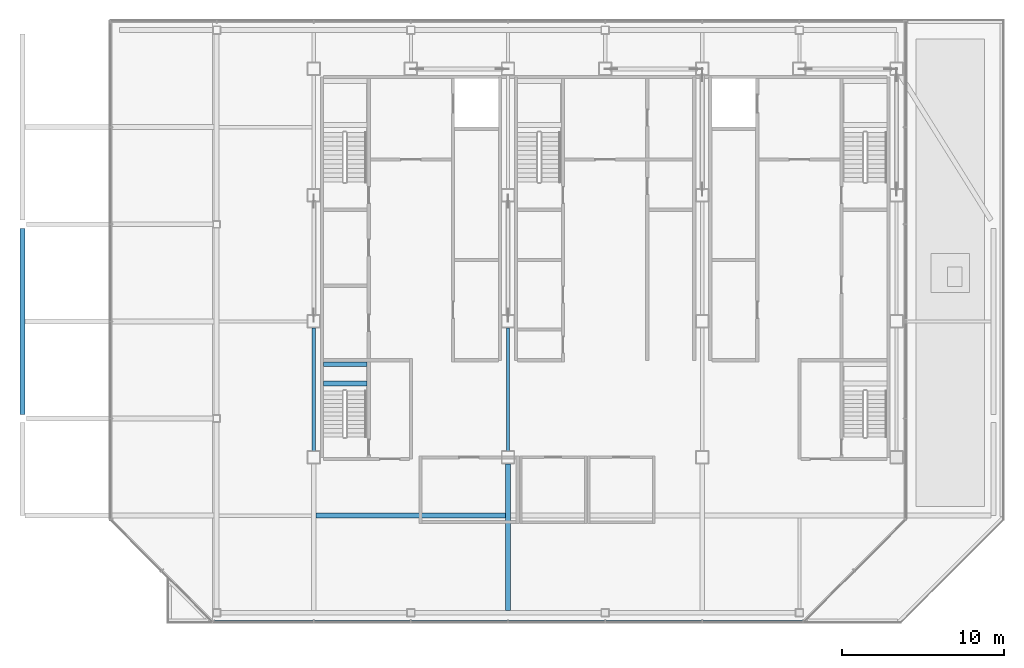
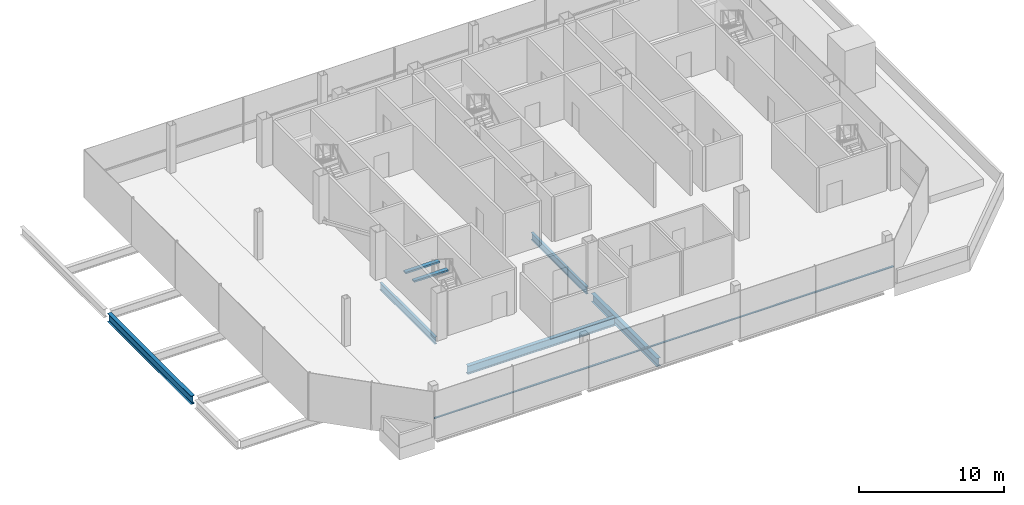
# One storey, part 4 of 17: 7 beams, 1 member, 1 element without a shape of its own.
"""IFC4 building model written with IfcOpenShell, lengths in metres."""

from ifc_helpers import new_model, si_unit, direction, frame, origin, origin_2d, place, context, subcontext, project, spatial, rectangle, i_section, extrude, material, material_profile, profile_set, type_object, element, aggregate, save


model = new_model("IFC4")

# Units and contexts
model_context = context("Model", 3, precision=1e-05, world=origin(), true_north=direction((0.0, 1.0)))
body_context = subcontext(model_context, "Body", "Model", "MODEL_VIEW")
ifc_project = project(units=[si_unit("LENGTHUNIT", "METRE"), si_unit("AREAUNIT", "SQUARE_METRE"), si_unit("VOLUMEUNIT", "CUBIC_METRE"), si_unit("PLANEANGLEUNIT", "RADIAN"), si_unit("MASSUNIT", "GRAM", prefix="KILO")], contexts=[model_context])

# Site, building, storey
site_placement = place(None, origin())
site = spatial("IfcSite", under=ifc_project, at=site_placement, CompositionType="ELEMENT")
building_placement = place(site_placement, origin())
building = spatial("IfcBuilding", under=site, at=building_placement, Name="Sorahane Residences", CompositionType="ELEMENT")
storey_placement = place(building_placement, frame((0.0, 0.0, 341.800048828125)))
storey = spatial("IfcBuildingStorey", under=building, at=storey_placement, Name="L81", CompositionType="ELEMENT", Elevation=341.800048828125)

# Curtain wall, member
ifc_material_1 = material(Name="Dark low-e glass and black anodised aluminium", Category="aluminium")
curtain_wall_type = type_object("IfcCurtainWallType", Name="Curtain wall CW-6 Crown unitised wall", PredefinedType="NOTDEFINED", material=ifc_material_1)
curtain_wall_placement = place(storey_placement, origin())
curtain_wall = element("IfcCurtainWall", 1, at=curtain_wall_placement, inside=storey, type_object=curtain_wall_type, Name="CW-6 curtain wall L81 S1", PredefinedType="NOTDEFINED")
ifc_material_2 = material(Name="Black anodised aluminium", Category="aluminium")
ifc_material_profile_1 = material_profile(ifc_material_2, rectangle(XDim=0.10009765625, YDim=0.06005859375, at=origin_2d()), Name="Curtain wall transom CW-6 black anodised aluminium 60x100")
ifc_profile_set_1 = profile_set([ifc_material_profile_1], Name="Black anodised aluminium")
member_type = type_object("IfcMemberType", Name="Curtain wall transom CW-6 black anodised aluminium 60x100", PredefinedType="USERDEFINED", material=ifc_profile_set_1)
member_placement = place(storey_placement, frame((-0.198486328125, 11.469970703125, 1.5), z_axis=(1.0, 0.0, 0.0), x_axis=(0.0, 1.0, 0.0)))
member = element("IfcMember", 2, at=member_placement, type_object=member_type, Name="CW-6 transom L81 S1", ObjectType="TRANSOM", PredefinedType="USERDEFINED", context=body_context, shape_type="SweptSolid", body=[
    extrude(rectangle(XDim=0.10009765625, YDim=0.06005859375, at=origin_2d()), origin(), (0.0, 0.0, 1.0), 36.39697265625),
])
aggregate(curtain_wall, [member])

# Beams
ifc_material_3 = material(Name="Concrete C40", Category="concrete")
ifc_material_profile_2 = material_profile(ifc_material_3, rectangle(XDim=0.300048828125, YDim=0.139892578125, at=origin_2d()), Name="300x140")
ifc_profile_set_2 = profile_set([ifc_material_profile_2], Name="Concrete C40")
beam_type_1 = type_object("IfcBeamType", Name="RC landing beam 300 x 140 Concrete C40", PredefinedType="BEAM", material=ifc_profile_set_2)
for number, where, z_axis, x_axis, name in (
    (3, (6.60009765625, 26.159912109375, 1.72998046875), (1.0, 0.0, 0.0), (0.0, 1.0, 0.0), "Landing beam"),
    (4, (6.60009765625, 27.35009765625, 1.72998046875), (1.0, 0.0, 0.0), (0.0, 1.0, 0.0), "Landing beam"),
):
    element("IfcBeam", number, at=place(storey_placement, frame(where, z_axis=z_axis, x_axis=x_axis)), inside=storey, type_object=beam_type_1, Name=name, PredefinedType="BEAM", context=body_context, shape_type="SweptSolid", body=[
        extrude(rectangle(XDim=0.300048828125, YDim=0.139892578125, at=origin_2d()), origin(), (0.0, 0.0, 1.0), 2.699951171875),
    ])
ifc_material_4 = material(Name="Steel Q355B", Category="steel")
ifc_material_profile_3 = material_profile(ifc_material_4, i_section(OverallWidth=0.199951171875, OverallDepth=0.60009765625, WebThickness=0.010986328125, FlangeThickness=0.01708984375, FilletRadius=0.02392578125, at=origin_2d()), Name="HN 600x200x11x17")
ifc_profile_set_3 = profile_set([ifc_material_profile_3], Name="Steel Q355B")
beam_type_2 = type_object("IfcBeamType", Name="Steel floor beam HN 600x200x11x17 Q355B", PredefinedType="BEAM", material=ifc_profile_set_3)
for number, where, z_axis, x_axis, name in (
    (5, (6.0, 22.0, -0.550048828125), (0.0, 1.0, 0.0), (-1.0, 0.0, 0.0), "Beam L81 017"),
    (6, (18.0, 22.0, -0.550048828125), (0.0, 1.0, 0.0), (-1.0, 0.0, 0.0), "Beam L81 023"),
):
    element("IfcBeam", number, at=place(storey_placement, frame(where, z_axis=z_axis, x_axis=x_axis)), inside=storey, type_object=beam_type_2, Name=name, PredefinedType="BEAM", context=body_context, shape_type="SweptSolid", body=[
        extrude(i_section(OverallWidth=0.199951171875, OverallDepth=0.60009765625, WebThickness=0.010986328125, FlangeThickness=0.01708984375, FilletRadius=0.02392578125, at=origin_2d()), origin(), (0.0, 0.0, 1.0), 7.60009765625),
    ])
ifc_material_5 = material(Name="Steel Q355B", Category="steel")
ifc_material_profile_4 = material_profile(ifc_material_5, i_section(OverallWidth=0.300048828125, OverallDepth=0.699951171875, WebThickness=0.012939453125, FlangeThickness=0.02392578125, FilletRadius=0.028076171875, at=origin_2d()), Name="HN 700x300x13x24")
ifc_profile_set_4 = profile_set([ifc_material_profile_4], Name="Steel Q355B")
beam_type_3 = type_object("IfcBeamType", Name="Steel floor beam HN 700x300x13x24 Q355B", PredefinedType="BEAM", material=ifc_profile_set_4)
beam_1_placement = place(storey_placement, frame((-12.0, 24.25, -0.60009765625), z_axis=(0.0, 1.0, 0.0), x_axis=(-1.0, 0.0, 0.0)))
element("IfcBeam", 7, at=beam_1_placement, inside=storey, type_object=beam_type_3, Name="Beam L81 010", PredefinedType="BEAM", context=body_context, shape_type="SweptSolid", body=[
    extrude(i_section(OverallWidth=0.300048828125, OverallDepth=0.699951171875, WebThickness=0.012939453125, FlangeThickness=0.02392578125, FilletRadius=0.028076171875, at=origin_2d()), origin(), (0.0, 0.0, 1.0), 11.5),
])
beam_2_placement = place(storey_placement, frame((18.0, 12.14990234375, -0.60009765625), z_axis=(0.0, 1.0, 0.0), x_axis=(-1.0, 0.0, 0.0)))
element("IfcBeam", 8, at=beam_2_placement, inside=storey, type_object=beam_type_3, Name="Beam L81 022", PredefinedType="BEAM", context=body_context, shape_type="SweptSolid", body=[
    extrude(i_section(OverallWidth=0.300048828125, OverallDepth=0.699951171875, WebThickness=0.012939453125, FlangeThickness=0.02392578125, FilletRadius=0.028076171875, at=origin_2d()), origin(), (0.0, 0.0, 1.0), 9.050048828125),
])
beam_3_placement = place(storey_placement, frame((6.14990234375, 18.0, -0.60009765625), z_axis=(1.0, 0.0, 0.0), x_axis=(0.0, 1.0, 0.0)))
element("IfcBeam", 9, at=beam_3_placement, inside=storey, type_object=beam_type_3, Name="Beam L81 041", PredefinedType="BEAM", context=body_context, shape_type="SweptSolid", body=[
    extrude(i_section(OverallWidth=0.300048828125, OverallDepth=0.699951171875, WebThickness=0.012939453125, FlangeThickness=0.02392578125, FilletRadius=0.028076171875, at=origin_2d()), origin(), (0.0, 0.0, 1.0), 11.7001953125),
])

save(model, "model.ifc")
